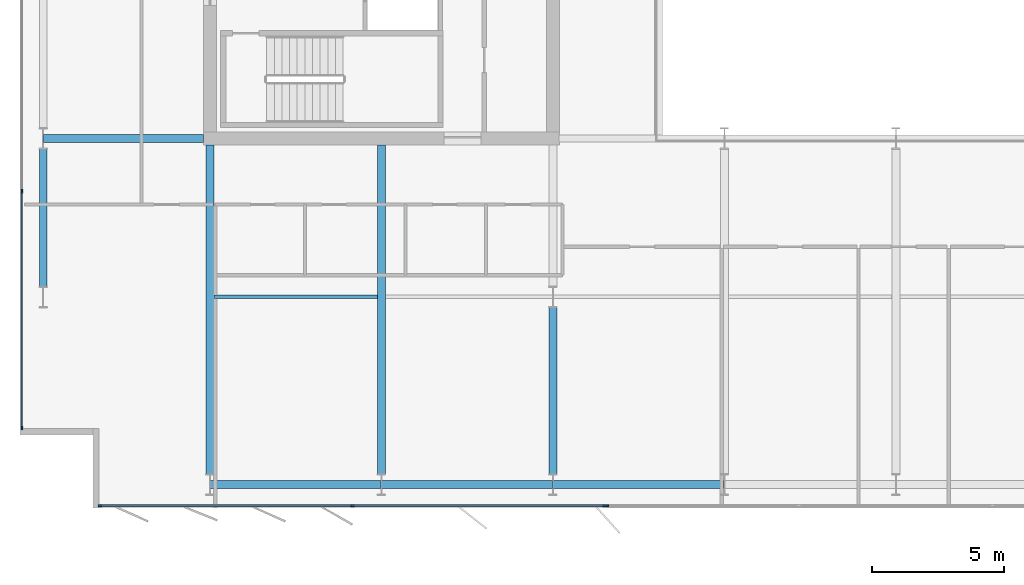
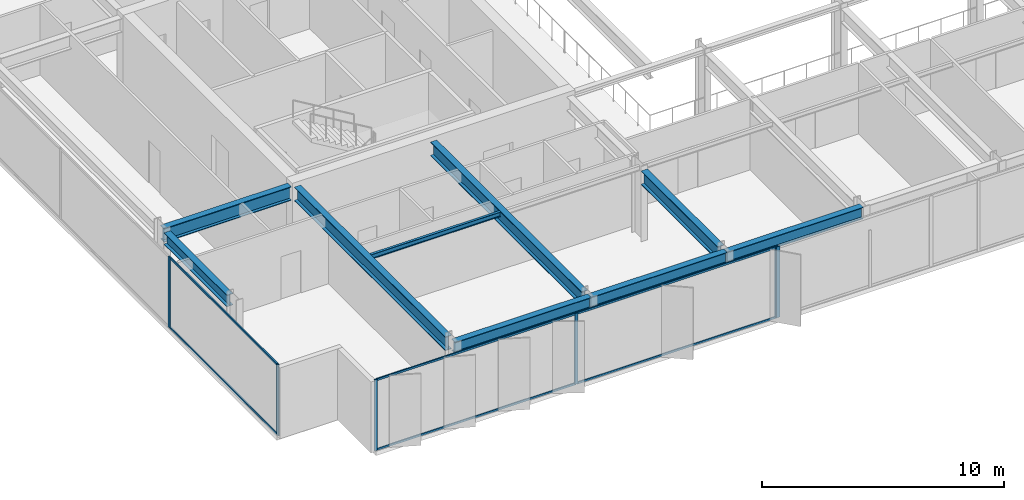
# One storey, part 3 of 24: 12 members, 9 beams, 3 elements without a shape of their own.
"""IFC4 building model written with IfcOpenShell, lengths in metres."""

from ifc_helpers import new_model, si_unit, direction, frame, origin, origin_2d, place, context, subcontext, project, spatial, rectangle, i_section, extrude, material, layer, layer_set, material_profile, profile_set, type_object, element, aggregate, save


model = new_model("IFC4")

# Units and contexts
model_context = context("Model", 3, precision=1e-05, world=origin(), true_north=direction((0.0, 1.0)))
body_context = subcontext(model_context, "Body", "Model", "MODEL_VIEW")
ifc_project = project(units=[si_unit("LENGTHUNIT", "METRE"), si_unit("AREAUNIT", "SQUARE_METRE"), si_unit("VOLUMEUNIT", "CUBIC_METRE"), si_unit("PLANEANGLEUNIT", "RADIAN"), si_unit("MASSUNIT", "GRAM", prefix="KILO")], contexts=[model_context])

# Site, building, storey
site_placement = place(None, origin())
site = spatial("IfcSite", under=ifc_project, at=site_placement, CompositionType="ELEMENT")
building_placement = place(site_placement, origin())
building = spatial("IfcBuilding", under=site, at=building_placement, Name="Putna Gate Headquarters", CompositionType="ELEMENT")
storey_placement = place(building_placement, frame((0.0, 0.0, 244.199951171875)))
storey = spatial("IfcBuildingStorey", under=building, at=storey_placement, Name="L61", CompositionType="ELEMENT", Elevation=244.199951171875)

# Beams
ifc_material_1 = material(Name="Steel S355J2", Category="steel")
ifc_material_profile_1 = material_profile(ifc_material_1, i_section(OverallWidth=0.300048828125, OverallDepth=0.699951171875, WebThickness=0.01708984375, FlangeThickness=0.031982421875, at=origin_2d()), Name="Steel S355J2")
ifc_profile_set_1 = profile_set([ifc_material_profile_1], Name="Steel S355J2")
beam_type_1 = type_object("IfcBeamType", Name="BM-GIRD-B-HEB700", PredefinedType="USERDEFINED", material=ifc_profile_set_1)
beam_1_placement = place(storey_placement, frame((6.68603515625, 19.0, 3.22998046875), z_axis=(1.0, 0.0, 0.0), x_axis=(0.0, 1.0, 0.0)))
element("IfcBeam", 1, at=beam_1_placement, inside=storey, type_object=beam_type_1, Name="L61 West Wing Girder Y19", ObjectType="GIRDER", PredefinedType="USERDEFINED", context=body_context, shape_type="SweptSolid", body=[
    extrude(i_section(OverallWidth=0.300048828125, OverallDepth=0.699951171875, WebThickness=0.01708984375, FlangeThickness=0.031982421875, at=origin_2d()), origin(), (0.0, 0.0, 1.0), 6.078857421875),
])
for number, where, z_axis, x_axis, name in (
    (2, (13.0, 6.27490234375, 3.22998046875), (0.0, 1.0, 0.0), (-1.0, 0.0, 0.0), "L61 South Primary Girder X13"),
    (3, (19.5, 6.27490234375, 3.22998046875), (0.0, 1.0, 0.0), (-1.0, 0.0, 0.0), "L61 South Primary Girder X19"),
):
    element("IfcBeam", number, at=place(storey_placement, frame(where, z_axis=z_axis, x_axis=x_axis)), inside=storey, type_object=beam_type_1, Name=name, ObjectType="GIRDER", PredefinedType="USERDEFINED", context=body_context, shape_type="SweptSolid", body=[
        extrude(i_section(OverallWidth=0.300048828125, OverallDepth=0.699951171875, WebThickness=0.01708984375, FlangeThickness=0.031982421875, at=origin_2d()), origin(), (0.0, 0.0, 1.0), 12.489990234375),
    ])
beam_2_placement = place(storey_placement, frame((26.0, 6.27490234375, 3.22998046875), z_axis=(0.0, 1.0, 0.0), x_axis=(-1.0, 0.0, 0.0)))
element("IfcBeam", 4, at=beam_2_placement, inside=storey, type_object=beam_type_1, Name="L61 South Primary Girder X26-1", ObjectType="GIRDER", PredefinedType="USERDEFINED", context=body_context, shape_type="SweptSolid", body=[
    extrude(i_section(OverallWidth=0.300048828125, OverallDepth=0.699951171875, WebThickness=0.01708984375, FlangeThickness=0.031982421875, at=origin_2d()), origin(), (0.0, 0.0, 1.0), 6.330078125),
])
ifc_material_profile_2 = material_profile(ifc_material_1, i_section(OverallWidth=0.1201171875, OverallDepth=0.239990234375, WebThickness=0.006103515625, FlangeThickness=0.009765625, at=origin_2d()), Name="Steel S355J2")
ifc_profile_set_2 = profile_set([ifc_material_profile_2], Name="Steel S355J2")
beam_type_2 = type_object("IfcBeamType", Name="BM-SEC-Z4-IPE240", PredefinedType="JOIST", material=ifc_profile_set_2)
beam_3_placement = place(storey_placement, frame((13.154052734375, 13.0, 3.4599609375), z_axis=(1.0, 0.0, 0.0), x_axis=(0.0, 1.0, 0.0)))
element("IfcBeam", 5, at=beam_3_placement, inside=storey, type_object=beam_type_2, Name="L61 South Secondary Beam 1", PredefinedType="JOIST", context=body_context, shape_type="SweptSolid", body=[
    extrude(i_section(OverallWidth=0.1201171875, OverallDepth=0.239990234375, WebThickness=0.006103515625, FlangeThickness=0.009765625, at=origin_2d()), origin(), (0.0, 0.0, 1.0), 6.19189453125),
])
ifc_material_profile_3 = material_profile(ifc_material_1, i_section(OverallWidth=0.300048828125, OverallDepth=0.590087890625, WebThickness=0.012939453125, FlangeThickness=0.02490234375, at=origin_2d()), Name="Steel S355J2")
ifc_profile_set_3 = profile_set([ifc_material_profile_3], Name="Steel S355J2")
beam_type_3 = type_object("IfcBeamType", Name="BM-SPAN-Z4-HEA600", PredefinedType="SPANDREL", material=ifc_profile_set_3)
for number, where, z_axis, x_axis, name in (
    (6, (13.006103515625, 5.8798828125, 3.28515625), (1.0, 0.0, 0.0), (0.0, 1.0, 0.0), "L61 S Perimeter Spandrel 1"),
    (7, (19.506103515625, 5.8798828125, 3.28515625), (1.0, 0.0, 0.0), (0.0, 1.0, 0.0), "L61 S Perimeter Spandrel 2"),
    (8, (26.006103515625, 5.8798828125, 3.28515625), (1.0, 0.0, 0.0), (0.0, 1.0, 0.0), "L61 S Perimeter Spandrel 3"),
):
    element("IfcBeam", number, at=place(storey_placement, frame(where, z_axis=z_axis, x_axis=x_axis)), inside=storey, type_object=beam_type_3, Name=name, PredefinedType="SPANDREL", context=body_context, shape_type="SweptSolid", body=[
        extrude(i_section(OverallWidth=0.300048828125, OverallDepth=0.590087890625, WebThickness=0.012939453125, FlangeThickness=0.02490234375, at=origin_2d()), origin(), (0.0, 0.0, 1.0), 6.48779296875),
    ])
beam_4_placement = place(storey_placement, frame((6.679931640625, 13.39501953125, 3.28515625), z_axis=(0.0, 1.0, 0.0), x_axis=(-1.0, 0.0, 0.0)))
element("IfcBeam", 9, at=beam_4_placement, inside=storey, type_object=beam_type_3, Name="L61 W End Spandrel 1", PredefinedType="SPANDREL", context=body_context, shape_type="SweptSolid", body=[
    extrude(i_section(OverallWidth=0.300048828125, OverallDepth=0.590087890625, WebThickness=0.012939453125, FlangeThickness=0.02490234375, at=origin_2d()), origin(), (0.0, 0.0, 1.0), 5.2099609375),
])

# Curtain wall, members
ifc_material_2 = material(Name="Anodised bronze aluminium curtain wall", Category="aluminium")
ifc_layer_1 = layer(ifc_material_2, 0.139892578125)
ifc_layer_set_1 = layer_set([ifc_layer_1], Name="Anodised bronze aluminium curtain wall")
curtain_wall_type_1 = type_object("IfcCurtainWallType", Name="CW-SYS-Z4", PredefinedType="USERDEFINED", material=ifc_layer_set_1)
curtain_wall_1_placement = place(storey_placement, origin())
curtain_wall_1 = element("IfcCurtainWall", 10, at=curtain_wall_1_placement, inside=storey, type_object=curtain_wall_type_1, Name="L61 South West Curtain Wall", ObjectType="STICK CURTAIN WALL", PredefinedType="USERDEFINED")
ifc_material_3 = material(Name="Anodised bronze aluminium EN AW-6060", Category="aluminium")
ifc_material_profile_4 = material_profile(ifc_material_3, rectangle(XDim=0.06005859375, YDim=0.139892578125, at=origin_2d()), Name="Anodised bronze aluminium EN AW-6060")
ifc_profile_set_4 = profile_set([ifc_material_profile_4], Name="Anodised bronze aluminium EN AW-6060")
member_type_1 = type_object("IfcMemberType", Name="MULL-CWM-4", PredefinedType="MULLION", material=ifc_profile_set_4)
member_1_placement = place(storey_placement, frame((8.830078125, 5.080078125, 0.0), z_axis=(0.0, 0.0, 1.0), x_axis=(0.0, 1.0, 0.0)))
member_1 = element("IfcMember", 11, at=member_1_placement, type_object=member_type_1, Name="CWS-4 mullion 1", PredefinedType="MULLION", context=body_context, shape_type="SweptSolid", body=[
    extrude(rectangle(XDim=0.06005859375, YDim=0.139892578125, at=origin_2d()), origin(), (0.0, 0.0, 1.0), 3.580078125),
])
member_2_placement = place(storey_placement, frame((18.39990234375, 5.080078125, 0.0), z_axis=(0.0, 0.0, 1.0), x_axis=(0.0, 1.0, 0.0)))
member_2 = element("IfcMember", 12, at=member_2_placement, type_object=member_type_1, Name="CWS-4 mullion 2", PredefinedType="MULLION", context=body_context, shape_type="SweptSolid", body=[
    extrude(rectangle(XDim=0.06005859375, YDim=0.139892578125, at=origin_2d()), origin(), (0.0, 0.0, 1.0), 3.580078125),
])
member_3_placement = place(storey_placement, frame((27.969970703125, 5.080078125, 0.0), z_axis=(0.0, 0.0, 1.0), x_axis=(0.0, 1.0, 0.0)))
member_3 = element("IfcMember", 13, at=member_3_placement, type_object=member_type_1, Name="CWS-4 mullion 3", PredefinedType="MULLION", context=body_context, shape_type="SweptSolid", body=[
    extrude(rectangle(XDim=0.06005859375, YDim=0.139892578125, at=origin_2d()), origin(), (0.0, 0.0, 1.0), 3.580078125),
])

curtain_wall_2_placement = place(storey_placement, origin())
curtain_wall_2 = element("IfcCurtainWall", 14, at=curtain_wall_2_placement, inside=storey, type_object=curtain_wall_type_1, Name="L61 West Curtain Wall", ObjectType="STICK CURTAIN WALL", PredefinedType="USERDEFINED")
member_4_placement = place(storey_placement, frame((5.8798828125, 8.030029296875, 0.0), z_axis=(0.0, 0.0, 1.0), x_axis=(-1.0, 0.0, 0.0)))
member_4 = element("IfcMember", 15, at=member_4_placement, type_object=member_type_1, Name="CWS-4 mullion 1", PredefinedType="MULLION", context=body_context, shape_type="SweptSolid", body=[
    extrude(rectangle(XDim=0.06005859375, YDim=0.139892578125, at=origin_2d()), origin(), (0.0, 0.0, 1.0), 3.580078125),
])
member_5_placement = place(storey_placement, frame((5.8798828125, 17.0, 0.0), z_axis=(0.0, 0.0, 1.0), x_axis=(-1.0, 0.0, 0.0)))
member_5 = element("IfcMember", 16, at=member_5_placement, type_object=member_type_1, Name="CWS-4 mullion 2", PredefinedType="MULLION", context=body_context, shape_type="SweptSolid", body=[
    extrude(rectangle(XDim=0.06005859375, YDim=0.139892578125, at=origin_2d()), origin(), (0.0, 0.0, 1.0), 3.580078125),
])

# Curtain wall, member
ifc_layer_2 = layer(ifc_material_2, 0.179931640625)
ifc_layer_set_2 = layer_set([ifc_layer_2], Name="Anodised bronze aluminium curtain wall")
curtain_wall_type_2 = type_object("IfcCurtainWallType", Name="CW-SYS-ATR", PredefinedType="USERDEFINED", material=ifc_layer_set_2)
curtain_wall_3_placement = place(storey_placement, origin())
curtain_wall_3 = element("IfcCurtainWall", 17, at=curtain_wall_3_placement, inside=storey, type_object=curtain_wall_type_2, Name="L61 South Atrium Clear Glazing", ObjectType="ATRIUM GLAZING", PredefinedType="USERDEFINED")
ifc_material_profile_5 = material_profile(ifc_material_3, rectangle(XDim=0.070068359375, YDim=0.179931640625, at=origin_2d()), Name="Anodised bronze aluminium EN AW-6060")
ifc_profile_set_5 = profile_set([ifc_material_profile_5], Name="Anodised bronze aluminium EN AW-6060")
member_type_2 = type_object("IfcMemberType", Name="MULL-CWM-AT", PredefinedType="MULLION", material=ifc_profile_set_5)
member_6_placement = place(storey_placement, frame((28.034912109375, 5.080078125, 0.0), z_axis=(0.0, 0.0, 1.0), x_axis=(0.0, 1.0, 0.0)))
member_6 = element("IfcMember", 18, at=member_6_placement, type_object=member_type_2, Name="CWS-AT mullion 1", PredefinedType="MULLION", context=body_context, shape_type="SweptSolid", body=[
    extrude(rectangle(XDim=0.070068359375, YDim=0.179931640625, at=origin_2d()), origin(), (0.0, 0.0, 1.0), 3.580078125),
])
aggregate(curtain_wall_3, [member_6])

# Member
ifc_material_profile_6 = material_profile(ifc_material_3, rectangle(XDim=0.06005859375, YDim=0.10009765625, at=origin_2d()), Name="Anodised bronze aluminium EN AW-6060")
ifc_profile_set_6 = profile_set([ifc_material_profile_6], Name="Anodised bronze aluminium EN AW-6060")
member_type_3 = type_object("IfcMemberType", Name="TRAN-CWT-4", PredefinedType="USERDEFINED", material=ifc_profile_set_6)
member_7_placement = place(storey_placement, frame((8.860107421875, 5.080078125, 0.030029296875), z_axis=(1.0, 0.0, 0.0), x_axis=(0.0, 1.0, 0.0)))
member_7 = element("IfcMember", 19, at=member_7_placement, type_object=member_type_3, Name="CWS-4 transom 1.1", ObjectType="TRANSOM", PredefinedType="USERDEFINED", context=body_context, shape_type="SweptSolid", body=[
    extrude(rectangle(XDim=0.06005859375, YDim=0.10009765625, at=origin_2d()), origin(), (0.0, 0.0, 1.0), 9.510009765625),
])

member_8_placement = place(storey_placement, frame((8.860107421875, 5.080078125, 3.550048828125), z_axis=(1.0, 0.0, 0.0), x_axis=(0.0, 1.0, 0.0)))
member_8 = element("IfcMember", 20, at=member_8_placement, type_object=member_type_3, Name="CWS-4 transom 1.2", ObjectType="TRANSOM", PredefinedType="USERDEFINED", context=body_context, shape_type="SweptSolid", body=[
    extrude(rectangle(XDim=0.06005859375, YDim=0.10009765625, at=origin_2d()), origin(), (0.0, 0.0, 1.0), 9.510009765625),
])

member_9_placement = place(storey_placement, frame((18.429931640625, 5.080078125, 0.030029296875), z_axis=(1.0, 0.0, 0.0), x_axis=(0.0, 1.0, 0.0)))
member_9 = element("IfcMember", 21, at=member_9_placement, type_object=member_type_3, Name="CWS-4 transom 2.1", ObjectType="TRANSOM", PredefinedType="USERDEFINED", context=body_context, shape_type="SweptSolid", body=[
    extrude(rectangle(XDim=0.06005859375, YDim=0.10009765625, at=origin_2d()), origin(), (0.0, 0.0, 1.0), 9.510009765625),
])

member_10_placement = place(storey_placement, frame((18.429931640625, 5.080078125, 3.550048828125), z_axis=(1.0, 0.0, 0.0), x_axis=(0.0, 1.0, 0.0)))
member_10 = element("IfcMember", 22, at=member_10_placement, type_object=member_type_3, Name="CWS-4 transom 2.2", ObjectType="TRANSOM", PredefinedType="USERDEFINED", context=body_context, shape_type="SweptSolid", body=[
    extrude(rectangle(XDim=0.06005859375, YDim=0.10009765625, at=origin_2d()), origin(), (0.0, 0.0, 1.0), 9.510009765625),
])

aggregate(curtain_wall_1, [member_1, member_2, member_3, member_7, member_8, member_9, member_10])

member_11_placement = place(storey_placement, frame((5.8798828125, 8.06005859375, 0.030029296875), z_axis=(0.0, 1.0, 0.0), x_axis=(-1.0, 0.0, 0.0)))
member_11 = element("IfcMember", 23, at=member_11_placement, type_object=member_type_3, Name="CWS-4 transom 1.1", ObjectType="TRANSOM", PredefinedType="USERDEFINED", context=body_context, shape_type="SweptSolid", body=[
    extrude(rectangle(XDim=0.06005859375, YDim=0.10009765625, at=origin_2d()), origin(), (0.0, 0.0, 1.0), 8.909912109375),
])

member_12_placement = place(storey_placement, frame((5.8798828125, 8.06005859375, 3.550048828125), z_axis=(0.0, 1.0, 0.0), x_axis=(-1.0, 0.0, 0.0)))
member_12 = element("IfcMember", 24, at=member_12_placement, type_object=member_type_3, Name="CWS-4 transom 1.2", ObjectType="TRANSOM", PredefinedType="USERDEFINED", context=body_context, shape_type="SweptSolid", body=[
    extrude(rectangle(XDim=0.06005859375, YDim=0.10009765625, at=origin_2d()), origin(), (0.0, 0.0, 1.0), 8.909912109375),
])

aggregate(curtain_wall_2, [member_4, member_5, member_11, member_12])

save(model, "model.ifc")
